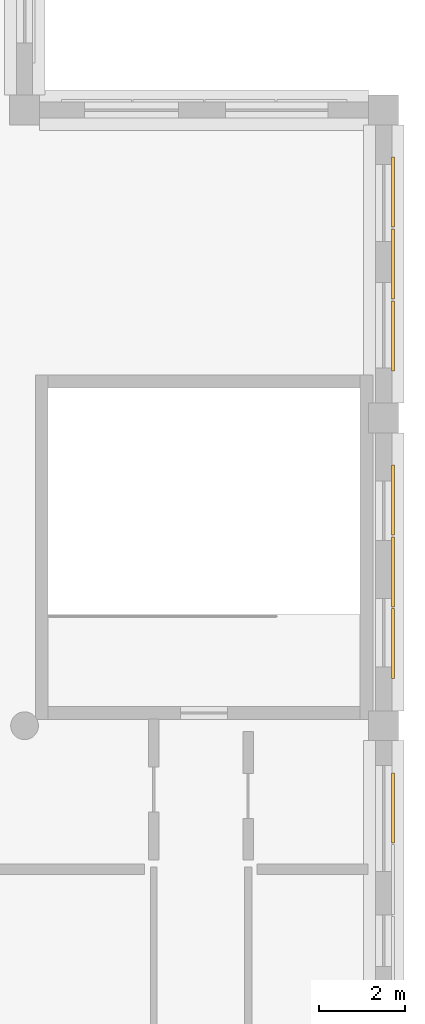
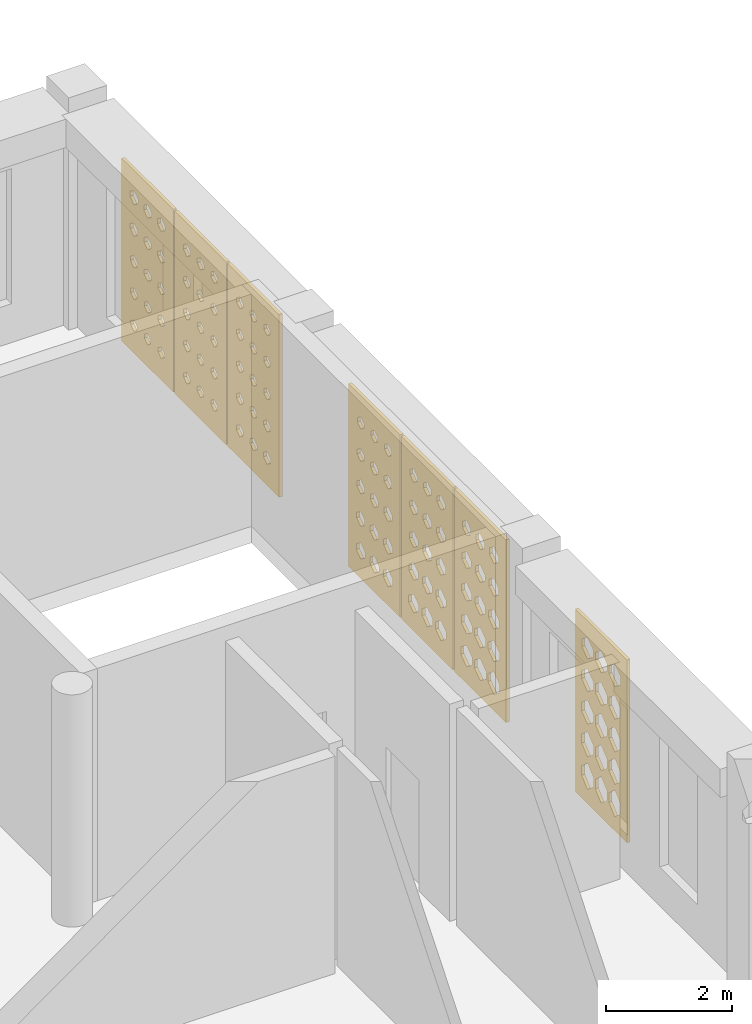
# One storey, part 39 of 47: 7 coverings.
"""IFC4 building model written with IfcOpenShell, lengths in metres."""

import ifcopenshell
import ifcopenshell.guid

model = None  # the IFC model being written
_history = None  # IfcOwnerHistory: only IFC2X3 demands one
_inside = {}  # id of a spatial element -> (the spatial element, [elements in it])
_under = {}  # id of a project, library or spatial element -> (it, [spatial elements below it])
_declared = {}  # id of a project -> (the project, [libraries it declares])
_typed = {}  # id of a type object -> (the type object, [elements of that type])
_made_of = {}  # id of a material, layer set ... -> (it, [elements and type objects made of it])


def new_model(schema):
    """Start an empty IFC model of exactly this schema.

    Asked for "IFC4X3", IfcOpenShell would pick the latest addendum, in which some entities
    have other attributes; the version numbers below select the first issue.
    IFC2X3 requires an IfcOwnerHistory on every rooted entity: one is made here for all.
    """
    global model, _history
    if schema == "IFC4X3":
        model = ifcopenshell.file(schema_version=(4, 3, 0, 0))
    else:
        model = ifcopenshell.file(schema=schema)
    _inside.clear()
    _under.clear()
    _declared.clear()
    _typed.clear()
    _made_of.clear()
    _history = None
    if model.schema == "IFC2X3":
        org = make("IfcOrganization", Name="unknown")
        user = make(
            "IfcPersonAndOrganization",
            ThePerson=make("IfcPerson", FamilyName="unknown"),
            TheOrganization=org,
        )
        app = make(
            "IfcApplication",
            ApplicationDeveloper=org,
            Version="unknown",
            ApplicationFullName="unknown",
            ApplicationIdentifier="unknown",
        )
        _history = make(
            "IfcOwnerHistory",
            OwningUser=user,
            OwningApplication=app,
            ChangeAction="ADDED",
            CreationDate=0,
        )
    return model


def make(cls, **values):
    """One entity of the class cls with the attributes given. An attribute that is None is left unset."""
    return model.create_entity(
        cls, **{name: value for name, value in values.items() if value is not None}
    )


def rooted(cls, **values):
    """An entity with a GlobalId (a new one), such as an element, a storey or a relation."""
    return make(cls, GlobalId=ifcopenshell.guid.new(), OwnerHistory=_history, **values)


def si_unit(unit_type, name, prefix=None):
    """IfcSIUnit, for example si_unit("LENGTHUNIT", "METRE", prefix="MILLI")."""
    return make("IfcSIUnit", UnitType=unit_type, Prefix=prefix, Name=name)


def derived_unit(unit_type, elements):
    """IfcDerivedUnit: a product of units, each with its exponent."""
    return make(
        "IfcDerivedUnit",
        Elements=[
            make("IfcDerivedUnitElement", Unit=unit, Exponent=power)
            for unit, power in elements
        ],
        UnitType=unit_type,
    )


def assignment(units):
    """IfcUnitAssignment: the units of a project."""
    return None if units is None else make("IfcUnitAssignment", Units=units)


def point(xyz):
    """IfcCartesianPoint."""
    return None if xyz is None else make("IfcCartesianPoint", Coordinates=xyz)


def direction(xyz):
    """IfcDirection."""
    return None if xyz is None else make("IfcDirection", DirectionRatios=xyz)


def frame(location, z_axis=None, x_axis=None):
    """IfcAxis2Placement3D, a coordinate frame: its origin and axes. An axis left out is left unset."""
    return make(
        "IfcAxis2Placement3D",
        Location=point(location),
        Axis=direction(z_axis),
        RefDirection=direction(x_axis),
    )


def origin():
    """The frame at (0, 0, 0) with its axes left unset."""
    return frame((0.0, 0.0, 0.0))


def place(relative_to, where):
    """IfcLocalPlacement: puts the frame where relative to a parent placement (None: the world)."""
    return make(
        "IfcLocalPlacement", PlacementRelTo=relative_to, RelativePlacement=where
    )


def context(
    kind, dimensions, precision=None, world=None, true_north=None, identifier=None
):
    """IfcGeometricRepresentationContext, for example the 3D "Model" context."""
    return make(
        "IfcGeometricRepresentationContext",
        ContextIdentifier=identifier,
        ContextType=kind,
        CoordinateSpaceDimension=dimensions,
        Precision=precision,
        WorldCoordinateSystem=world,
        TrueNorth=true_north,
    )


def subcontext(parent, identifier, kind, view, scale=None):
    """IfcGeometricRepresentationSubContext, for example "Body" below "Model"."""
    return make(
        "IfcGeometricRepresentationSubContext",
        ContextIdentifier=identifier,
        ContextType=kind,
        ParentContext=parent,
        TargetScale=scale,
        TargetView=view,
    )


def project(units=None, contexts=None):
    """IfcProject with its units and contexts."""
    return rooted(
        "IfcProject",
        Name="project",
        RepresentationContexts=contexts,
        UnitsInContext=assignment(units),
    )


def spatial(cls, under=None, at=None, **own):
    """A site, building, storey or space (cls), placed at a placement, below another one or the project."""
    s = rooted(cls, ObjectPlacement=at, **own)
    if under is not None:
        _under.setdefault(under.id(), (under, []))[1].append(s)
    return s


def polyline(points):
    """IfcPolyline through the points."""
    return make("IfcPolyline", Points=[point(p) for p in points])


def outline(outer, holes=None, kind="AREA"):
    """IfcArbitraryClosedProfileDef: a profile drawn as a closed curve; with holes, ...WithVoids."""
    if holes is None:
        return make("IfcArbitraryClosedProfileDef", ProfileType=kind, OuterCurve=outer)
    return make(
        "IfcArbitraryProfileDefWithVoids",
        ProfileType=kind,
        OuterCurve=outer,
        InnerCurves=holes,
    )


def extrude(swept, where, along, depth):
    """IfcExtrudedAreaSolid: the profile swept, set in the frame where, extruded along a direction by depth."""
    return make(
        "IfcExtrudedAreaSolid",
        SweptArea=swept,
        Position=where,
        ExtrudedDirection=direction(along),
        Depth=depth,
    )


def shape(context_of_items, identifier, shape_type, items):
    """IfcShapeRepresentation: the items that make up one representation, for example the "Body"."""
    return make(
        "IfcShapeRepresentation",
        ContextOfItems=context_of_items,
        RepresentationIdentifier=identifier,
        RepresentationType=shape_type,
        Items=items,
    )


def material(Name=None, Category=None):
    """IfcMaterial."""
    return make("IfcMaterial", Name=Name, Category=Category)


def layer(
    of_material, thickness, ventilated=None, Name=None, Category=None, Priority=None
):
    """IfcMaterialLayer: one layer of a wall or slab, of a material (None: an air gap)."""
    return make(
        "IfcMaterialLayer",
        Material=of_material,
        LayerThickness=thickness,
        IsVentilated=ventilated,
        Name=Name,
        Category=Category,
        Priority=Priority,
    )


def layer_set(layers, Name=None):
    """IfcMaterialLayerSet."""
    return make("IfcMaterialLayerSet", MaterialLayers=layers, LayerSetName=Name)


def made_of(thing, what):
    """Note that an element or type object is made of a material, layer set ...; save() writes the relation."""
    if what is not None:
        _made_of.setdefault(what.id(), (what, []))[1].append(thing)
    return thing


def type_object(cls, material=None, **own):
    """A type object (cls), such as IfcWallType, which elements share."""
    return made_of(rooted(cls, **own), material)


def element(
    cls,
    number,
    at=None,
    inside=None,
    cuts=None,
    type_object=None,
    material=None,
    context=None,
    identifier="Body",
    shape_type=None,
    held_by="IfcProductDefinitionShape",
    body=None,
    shapes=None,
    **own,
):
    """One element of the class cls, such as IfcWall. Its Tag is "e" and its number.

    at: its placement. inside: the storey or other place that contains it. cuts: it is an
    opening in that element (IfcRelVoidsElement). A single representation is given by context,
    identifier, shape_type and body (its items); several are given by shapes. held_by: the class
    of the entity that holds the representations. save() writes the other relations.
    """
    e = rooted(cls, Tag="e%d" % number, ObjectPlacement=at, **own)
    if body is not None:
        shapes = [shape(context, identifier, shape_type, body)]
    if shapes is not None:
        e.Representation = make(held_by, Representations=shapes)
    if inside is not None:
        _inside.setdefault(inside.id(), (inside, []))[1].append(e)
    if cuts is not None:
        rooted(
            "IfcRelVoidsElement", RelatingBuildingElement=cuts, RelatedOpeningElement=e
        )
    if type_object is not None:
        _typed.setdefault(type_object.id(), (type_object, []))[1].append(e)
    return made_of(e, material)


def aggregate(whole, parts):
    """IfcRelAggregates: a whole, such as a stair, and the parts it consists of."""
    return rooted("IfcRelAggregates", RelatingObject=whole, RelatedObjects=parts)


def save(model, path):
    """Write the relations noted so far, then the file.

    IfcRelAggregates (storeys below a building ...), IfcRelContainedInSpatialStructure (elements
    in a storey), IfcRelDefinesByType, IfcRelAssociatesMaterial and IfcRelDeclares: one each for
    every whole, place, type object, material and project.
    """
    for whole, parts in _under.values():
        aggregate(whole, parts)
    for where, things in _inside.values():
        rooted(
            "IfcRelContainedInSpatialStructure",
            RelatedElements=things,
            RelatingStructure=where,
        )
    for kind, things in _typed.values():
        rooted("IfcRelDefinesByType", RelatedObjects=things, RelatingType=kind)
    for what, things in _made_of.values():
        rooted("IfcRelAssociatesMaterial", RelatedObjects=things, RelatingMaterial=what)
    for by, libraries in _declared.values():
        rooted("IfcRelDeclares", RelatingContext=by, RelatedDefinitions=libraries)
    model.write(path)


model = new_model("IFC4")

# Units and contexts
model_context = context("Model", 3, precision=1e-05, world=origin(), true_north=direction((0.0, 1.0)))
body_context = subcontext(model_context, "Body", "Model", "MODEL_VIEW")
ifc_project = project(units=[si_unit("LENGTHUNIT", "METRE"), si_unit("AREAUNIT", "SQUARE_METRE"), si_unit("VOLUMEUNIT", "CUBIC_METRE"), si_unit("PLANEANGLEUNIT", "RADIAN"), si_unit("MASSUNIT", "GRAM", prefix="KILO"), derived_unit("THERMALTRANSMITTANCEUNIT", [(si_unit("POWERUNIT", "WATT"), 1), (si_unit("LENGTHUNIT", "METRE"), -2), (si_unit("THERMODYNAMICTEMPERATUREUNIT", "KELVIN"), -1)])], contexts=[model_context])

# Site, building, storey
site_placement = place(None, origin())
site = spatial("IfcSite", under=ifc_project, at=site_placement, CompositionType="ELEMENT")
building_placement = place(site_placement, origin())
building = spatial("IfcBuilding", under=site, at=building_placement, Name="Veybourne Emporium", CompositionType="ELEMENT")
storey_placement = place(building_placement, frame((0.0, 0.0, 23.39990234375)))
storey = spatial("IfcBuildingStorey", under=building, at=storey_placement, Name="L05", CompositionType="ELEMENT", Elevation=23.39990234375)

# Coverings
ifc_material = material(Name="Warm-White Perforated Aluminium Screen Alloy", Category="aluminium")
ifc_layer_1 = layer(ifc_material, 0.06005859375)
ifc_layer_set_1 = layer_set([ifc_layer_1], Name="Warm-White Perforated Aluminium Screen Alloy")
covering_type_1 = type_object("IfcCoveringType", Name="WaveScreen_SCR-01", PredefinedType="CLADDING", material=ifc_layer_set_1)
covering_1_placement = place(storey_placement, frame((101.048095703125, 55.679931640625, 1.830078125), z_axis=(-1.0, 0.0, 0.0), x_axis=(0.0, -1.0, 0.0)))
element("IfcCovering", 1, at=covering_1_placement, inside=storey, type_object=covering_type_1, Name="L05 wave-perforated aluminium screen SCR-01 (54.1)", PredefinedType="CLADDING", context=body_context, shape_type="SweptSolid", body=[
    extrude(outline(polyline([(-0.81982421875, -1.77001953125), (0.81982421875, -1.77001953125), (0.81982421875, 1.77001953125), (-0.81982421875, 1.77001953125), (-0.81982421875, -1.77001953125)]), holes=[polyline([(-0.433349609375, -1.0830078125), (-0.294921875, -1.183349609375), (-0.294921875, -1.296630859375), (-0.433349609375, -1.397216796875), (-0.572021484375, -1.296630859375), (-0.572021484375, -1.183349609375), (-0.433349609375, -1.0830078125)]), polyline([(-0.433349609375, -0.47509765625), (-0.304931640625, -0.56787109375), (-0.304931640625, -0.672119140625), (-0.433349609375, -0.764892578125), (-0.561767578125, -0.672119140625), (-0.561767578125, -0.56787109375), (-0.433349609375, -0.47509765625)]), polyline([(-0.433349609375, 0.1337890625), (-0.313720703125, 0.048095703125), (-0.313720703125, -0.048095703125), (-0.433349609375, -0.1337890625), (-0.552978515625, -0.048095703125), (-0.552978515625, 0.048095703125), (-0.433349609375, 0.1337890625)]), polyline([(-0.433349609375, 0.74462890625), (-0.3212890625, 0.664794921875), (-0.3212890625, 0.5751953125), (-0.433349609375, 0.495361328125), (-0.54541015625, 0.5751953125), (-0.54541015625, 0.664794921875), (-0.433349609375, 0.74462890625)]), polyline([(-0.433349609375, 1.357666015625), (-0.3271484375, 1.2822265625), (-0.3271484375, 1.19775390625), (-0.433349609375, 1.122314453125), (-0.53955078125, 1.19775390625), (-0.53955078125, 1.2822265625), (-0.433349609375, 1.357666015625)]), polyline([(0.0, -1.076904296875), (0.143310546875, -1.181396484375), (0.143310546875, -1.298583984375), (0.0, -1.403076171875), (-0.143310546875, -1.298583984375), (-0.143310546875, -1.181396484375), (0.0, -1.076904296875)]), polyline([(0.0, -0.4697265625), (0.1328125, -0.56591796875), (0.1328125, -0.674072265625), (0.0, -0.770263671875), (-0.1328125, -0.674072265625), (-0.1328125, -0.56591796875), (0.0, -0.4697265625)]), polyline([(0.0, 0.138671875), (0.123291015625, 0.0498046875), (0.123291015625, -0.0498046875), (0.0, -0.138671875), (-0.123291015625, -0.0498046875), (-0.123291015625, 0.0498046875), (0.0, 0.138671875)]), polyline([(0.0, 0.74853515625), (0.115234375, 0.666259765625), (0.115234375, 0.57373046875), (0.0, 0.491455078125), (-0.115234375, 0.57373046875), (-0.115234375, 0.666259765625), (0.0, 0.74853515625)]), polyline([(0.0, 1.360595703125), (0.108642578125, 1.283447265625), (0.108642578125, 1.196533203125), (0.0, 1.119384765625), (-0.108642578125, 1.196533203125), (-0.108642578125, 1.283447265625), (0.0, 1.360595703125)]), polyline([(0.433349609375, -1.07080078125), (0.581787109375, -1.17919921875), (0.581787109375, -1.30078125), (0.433349609375, -1.4091796875), (0.284912109375, -1.30078125), (0.284912109375, -1.17919921875), (0.433349609375, -1.07080078125)]), polyline([(0.433349609375, -0.464111328125), (0.57080078125, -0.56396484375), (0.57080078125, -0.676025390625), (0.433349609375, -0.77587890625), (0.2958984375, -0.676025390625), (0.2958984375, -0.56396484375), (0.433349609375, -0.464111328125)]), polyline([(0.433349609375, 0.1435546875), (0.560791015625, 0.0517578125), (0.560791015625, -0.0517578125), (0.433349609375, -0.1435546875), (0.305908203125, -0.0517578125), (0.305908203125, 0.0517578125), (0.433349609375, 0.1435546875)]), polyline([(0.433349609375, 0.7529296875), (0.552001953125, 0.667724609375), (0.552001953125, 0.572265625), (0.433349609375, 0.487060546875), (0.314697265625, 0.572265625), (0.314697265625, 0.667724609375), (0.433349609375, 0.7529296875)]), polyline([(0.433349609375, 1.364013671875), (0.544677734375, 1.28466796875), (0.544677734375, 1.1953125), (0.433349609375, 1.1162109375), (0.322021484375, 1.1953125), (0.322021484375, 1.28466796875), (0.433349609375, 1.364013671875)])]), origin(), (0.0, 0.0, 1.0), 0.06005859375),
])
ifc_layer_2 = layer(ifc_material, 0.06005859375)
ifc_layer_set_2 = layer_set([ifc_layer_2], Name="Warm-White Perforated Aluminium Screen Alloy")
covering_type_2 = type_object("IfcCoveringType", Name="WaveScreen_SCR-02", PredefinedType="CLADDING", material=ifc_layer_set_2)
covering_2_placement = place(storey_placement, frame((101.048095703125, 54.0, 1.830078125), z_axis=(-1.0, 0.0, 0.0), x_axis=(0.0, -1.0, 0.0)))
element("IfcCovering", 2, at=covering_2_placement, inside=storey, type_object=covering_type_2, Name="L05 wave-perforated aluminium screen SCR-02 (54.2)", PredefinedType="CLADDING", context=body_context, shape_type="SweptSolid", body=[
    extrude(outline(polyline([(-0.81982421875, -1.77001953125), (0.81982421875, -1.77001953125), (0.81982421875, 1.77001953125), (-0.81982421875, 1.77001953125), (-0.81982421875, -1.77001953125)]), holes=[polyline([(-0.433349609375, -1.05908203125), (-0.275390625, -1.1748046875), (-0.275390625, -1.30517578125), (-0.433349609375, -1.4208984375), (-0.59130859375, -1.30517578125), (-0.59130859375, -1.1748046875), (-0.433349609375, -1.05908203125)]), polyline([(-0.433349609375, -0.452880859375), (-0.28662109375, -0.559814453125), (-0.28662109375, -0.68017578125), (-0.433349609375, -0.787109375), (-0.580078125, -0.68017578125), (-0.580078125, -0.559814453125), (-0.433349609375, -0.452880859375)]), polyline([(-0.433349609375, 0.15380859375), (-0.297607421875, 0.055419921875), (-0.297607421875, -0.055419921875), (-0.433349609375, -0.15380859375), (-0.569091796875, -0.055419921875), (-0.569091796875, 0.055419921875), (-0.433349609375, 0.15380859375)]), polyline([(-0.433349609375, 0.76171875), (-0.307373046875, 0.671142578125), (-0.307373046875, 0.56884765625), (-0.433349609375, 0.478271484375), (-0.559326171875, 0.56884765625), (-0.559326171875, 0.671142578125), (-0.433349609375, 0.76171875)]), polyline([(-0.433349609375, 1.371337890625), (-0.31591796875, 1.287353515625), (-0.31591796875, 1.192626953125), (-0.433349609375, 1.108642578125), (-0.55078125, 1.192626953125), (-0.55078125, 1.287353515625), (-0.433349609375, 1.371337890625)]), polyline([(0.0, -1.052734375), (0.163330078125, -1.172607421875), (0.163330078125, -1.307373046875), (0.0, -1.42724609375), (-0.163330078125, -1.307373046875), (-0.163330078125, -1.172607421875), (0.0, -1.052734375)]), polyline([(0.0, -0.44677734375), (0.151611328125, -0.5576171875), (0.151611328125, -0.682373046875), (0.0, -0.793212890625), (-0.151611328125, -0.682373046875), (-0.151611328125, -0.5576171875), (0.0, -0.44677734375)]), polyline([(0.0, 0.15966796875), (0.140625, 0.0576171875), (0.140625, -0.0576171875), (0.0, -0.15966796875), (-0.140625, -0.0576171875), (-0.140625, 0.0576171875), (0.0, 0.15966796875)]), polyline([(0.0, 0.76708984375), (0.13037109375, 0.6728515625), (0.13037109375, 0.567138671875), (0.0, 0.472900390625), (-0.13037109375, 0.567138671875), (-0.13037109375, 0.6728515625), (0.0, 0.76708984375)]), polyline([(0.0, 1.375732421875), (0.12109375, 1.288818359375), (0.12109375, 1.191162109375), (0.0, 1.104248046875), (-0.12109375, 1.191162109375), (-0.12109375, 1.288818359375), (0.0, 1.375732421875)]), polyline([(0.433349609375, -1.04638671875), (0.601806640625, -1.17041015625), (0.601806640625, -1.309814453125), (0.433349609375, -1.43359375), (0.264892578125, -1.309814453125), (0.264892578125, -1.17041015625), (0.433349609375, -1.04638671875)]), polyline([(0.433349609375, -0.4404296875), (0.590087890625, -0.555419921875), (0.590087890625, -0.6845703125), (0.433349609375, -0.799560546875), (0.276611328125, -0.6845703125), (0.276611328125, -0.555419921875), (0.433349609375, -0.4404296875)]), polyline([(0.433349609375, 0.16552734375), (0.578857421875, 0.0595703125), (0.578857421875, -0.0595703125), (0.433349609375, -0.16552734375), (0.287841796875, -0.0595703125), (0.287841796875, 0.0595703125), (0.433349609375, 0.16552734375)]), polyline([(0.433349609375, 0.7724609375), (0.568115234375, 0.6748046875), (0.568115234375, 0.565185546875), (0.433349609375, 0.467529296875), (0.298583984375, 0.565185546875), (0.298583984375, 0.6748046875), (0.433349609375, 0.7724609375)]), polyline([(0.433349609375, 1.380615234375), (0.558349609375, 1.29052734375), (0.558349609375, 1.189453125), (0.433349609375, 1.099365234375), (0.30810546875, 1.189453125), (0.30810546875, 1.29052734375), (0.433349609375, 1.380615234375)])]), origin(), (0.0, 0.0, 1.0), 0.06005859375),
])
covering_3_placement = place(storey_placement, frame((101.048095703125, 62.8798828125, 1.830078125), z_axis=(-1.0, 0.0, 0.0), x_axis=(0.0, -1.0, 0.0)))
element("IfcCovering", 3, at=covering_3_placement, inside=storey, type_object=covering_type_2, Name="L05 wave-perforated aluminium screen SCR-02 (55.1)", PredefinedType="CLADDING", context=body_context, shape_type="SweptSolid", body=[
    extrude(outline(polyline([(-0.81982421875, -1.77001953125), (0.81982421875, -1.77001953125), (0.81982421875, 1.77001953125), (-0.81982421875, 1.77001953125), (-0.81982421875, -1.77001953125)]), holes=[polyline([(-0.433349609375, -1.12890625), (-0.33251953125, -1.199951171875), (-0.33251953125, -1.280029296875), (-0.433349609375, -1.351318359375), (-0.5341796875, -1.280029296875), (-0.5341796875, -1.199951171875), (-0.433349609375, -1.12890625)]), polyline([(-0.433349609375, -0.505126953125), (-0.329345703125, -0.57861328125), (-0.329345703125, -0.661376953125), (-0.433349609375, -0.73486328125), (-0.537109375, -0.661376953125), (-0.537109375, -0.57861328125), (-0.433349609375, -0.505126953125)]), polyline([(-0.433349609375, 0.12060546875), (-0.32470703125, 0.04345703125), (-0.32470703125, -0.04345703125), (-0.433349609375, -0.12060546875), (-0.5419921875, -0.04345703125), (-0.5419921875, 0.04345703125), (-0.433349609375, 0.12060546875)]), polyline([(-0.433349609375, 0.748779296875), (-0.31787109375, 0.66650390625), (-0.31787109375, 0.573486328125), (-0.433349609375, 0.4912109375), (-0.548583984375, 0.573486328125), (-0.548583984375, 0.66650390625), (-0.433349609375, 0.748779296875)]), polyline([(-0.433349609375, 1.37890625), (-0.309814453125, 1.2900390625), (-0.309814453125, 1.18994140625), (-0.433349609375, 1.10107421875), (-0.556884765625, 1.18994140625), (-0.556884765625, 1.2900390625), (-0.433349609375, 1.37890625)]), polyline([(0.0, -1.129638671875), (0.100341796875, -1.2001953125), (0.100341796875, -1.27978515625), (0.0, -1.350341796875), (-0.100341796875, -1.27978515625), (-0.100341796875, -1.2001953125), (0.0, -1.129638671875)]), polyline([(0.0, -0.507080078125), (0.102294921875, -0.579345703125), (0.102294921875, -0.66064453125), (0.0, -0.73291015625), (-0.102294921875, -0.66064453125), (-0.102294921875, -0.579345703125), (0.0, -0.507080078125)]), polyline([(0.0, 0.117919921875), (0.1064453125, 0.04248046875), (0.1064453125, -0.04248046875), (0.0, -0.117919921875), (-0.1064453125, -0.04248046875), (-0.1064453125, 0.04248046875), (0.0, 0.117919921875)]), polyline([(0.0, 0.744873046875), (0.1123046875, 0.6650390625), (0.1123046875, 0.574951171875), (0.0, 0.4951171875), (-0.1123046875, 0.574951171875), (-0.1123046875, 0.6650390625), (0.0, 0.744873046875)]), polyline([(0.0, 1.3740234375), (0.11962890625, 1.288330078125), (0.11962890625, 1.191650390625), (0.0, 1.10595703125), (-0.11962890625, 1.191650390625), (-0.11962890625, 1.288330078125), (0.0, 1.3740234375)]), polyline([(0.433349609375, -1.1298828125), (0.533203125, -1.200439453125), (0.533203125, -1.279541015625), (0.433349609375, -1.35009765625), (0.333251953125, -1.279541015625), (0.333251953125, -1.200439453125), (0.433349609375, -1.1298828125)]), polyline([(0.433349609375, -0.508544921875), (0.534423828125, -0.579833984375), (0.534423828125, -0.66015625), (0.433349609375, -0.7314453125), (0.332275390625, -0.66015625), (0.332275390625, -0.579833984375), (0.433349609375, -0.508544921875)]), polyline([(0.433349609375, 0.115234375), (0.53759765625, 0.04150390625), (0.53759765625, -0.04150390625), (0.433349609375, -0.115234375), (0.3291015625, -0.04150390625), (0.3291015625, 0.04150390625), (0.433349609375, 0.115234375)]), polyline([(0.433349609375, 0.741455078125), (0.542724609375, 0.663818359375), (0.542724609375, 0.576416015625), (0.433349609375, 0.49853515625), (0.323974609375, 0.576416015625), (0.323974609375, 0.663818359375), (0.433349609375, 0.741455078125)]), polyline([(0.433349609375, 1.369873046875), (0.549560546875, 1.28662109375), (0.549560546875, 1.193359375), (0.433349609375, 1.110107421875), (0.317138671875, 1.193359375), (0.317138671875, 1.28662109375), (0.433349609375, 1.369873046875)])]), origin(), (0.0, 0.0, 1.0), 0.06005859375),
])
ifc_layer_3 = layer(ifc_material, 0.06005859375)
ifc_layer_set_3 = layer_set([ifc_layer_3], Name="Warm-White Perforated Aluminium Screen Alloy")
covering_type_3 = type_object("IfcCoveringType", Name="WaveScreen_SCR-03", PredefinedType="CLADDING", material=ifc_layer_set_3)
covering_4_placement = place(storey_placement, frame((101.048095703125, 52.320068359375, 1.830078125), z_axis=(-1.0, 0.0, 0.0), x_axis=(0.0, -1.0, 0.0)))
element("IfcCovering", 4, at=covering_4_placement, inside=storey, type_object=covering_type_3, Name="L05 wave-perforated aluminium screen SCR-03 (54.3)", PredefinedType="CLADDING", context=body_context, shape_type="SweptSolid", body=[
    extrude(outline(polyline([(-0.81982421875, -1.77001953125), (0.81982421875, -1.77001953125), (0.81982421875, 1.77001953125), (-0.81982421875, 1.77001953125), (-0.81982421875, -1.77001953125)]), holes=[polyline([(-0.433349609375, -1.0341796875), (-0.2548828125, -1.166015625), (-0.2548828125, -1.314208984375), (-0.433349609375, -1.44580078125), (-0.61181640625, -1.314208984375), (-0.61181640625, -1.166015625), (-0.433349609375, -1.0341796875)]), polyline([(-0.433349609375, -0.428466796875), (-0.2666015625, -0.551025390625), (-0.2666015625, -0.68896484375), (-0.433349609375, -0.8115234375), (-0.60009765625, -0.68896484375), (-0.60009765625, -0.551025390625), (-0.433349609375, -0.428466796875)]), polyline([(-0.433349609375, 0.17724609375), (-0.2783203125, 0.063720703125), (-0.2783203125, -0.063720703125), (-0.433349609375, -0.17724609375), (-0.58837890625, -0.063720703125), (-0.58837890625, 0.063720703125), (-0.433349609375, 0.17724609375)]), polyline([(-0.433349609375, 0.783447265625), (-0.28955078125, 0.678955078125), (-0.28955078125, 0.56103515625), (-0.433349609375, 0.45654296875), (-0.5771484375, 0.56103515625), (-0.5771484375, 0.678955078125), (-0.433349609375, 0.783447265625)]), polyline([(-0.433349609375, 1.390625), (-0.300048828125, 1.294189453125), (-0.300048828125, 1.185791015625), (-0.433349609375, 1.08935546875), (-0.56640625, 1.185791015625), (-0.56640625, 1.294189453125), (-0.433349609375, 1.390625)]), polyline([(0.0, -1.02783203125), (0.18359375, -1.163818359375), (0.18359375, -1.31640625), (0.0, -1.4521484375), (-0.18359375, -1.31640625), (-0.18359375, -1.163818359375), (0.0, -1.02783203125)]), polyline([(0.0, -0.422119140625), (0.171875, -0.548583984375), (0.171875, -0.69140625), (0.0, -0.81787109375), (-0.171875, -0.69140625), (-0.171875, -0.548583984375), (0.0, -0.422119140625)]), polyline([(0.0, 0.18359375), (0.16015625, 0.066162109375), (0.16015625, -0.066162109375), (0.0, -0.18359375), (-0.16015625, -0.066162109375), (-0.16015625, 0.066162109375), (0.0, 0.18359375)]), polyline([(0.0, 0.78955078125), (0.148681640625, 0.68115234375), (0.148681640625, 0.558837890625), (0.0, 0.450439453125), (-0.148681640625, 0.558837890625), (-0.148681640625, 0.68115234375), (0.0, 0.78955078125)]), polyline([(0.0, 1.396240234375), (0.1376953125, 1.29638671875), (0.1376953125, 1.18359375), (0.0, 1.083740234375), (-0.1376953125, 1.18359375), (-0.1376953125, 1.29638671875), (0.0, 1.396240234375)]), polyline([(0.433349609375, -1.021728515625), (0.61962890625, -1.161376953125), (0.61962890625, -1.318603515625), (0.433349609375, -1.458251953125), (0.2470703125, -1.318603515625), (0.2470703125, -1.161376953125), (0.433349609375, -1.021728515625)]), polyline([(0.433349609375, -0.415771484375), (0.610595703125, -0.54638671875), (0.610595703125, -0.693603515625), (0.433349609375, -0.82421875), (0.256103515625, -0.693603515625), (0.256103515625, -0.54638671875), (0.433349609375, -0.415771484375)]), polyline([(0.433349609375, 0.18994140625), (0.598876953125, 0.068359375), (0.598876953125, -0.068359375), (0.433349609375, -0.18994140625), (0.267822265625, -0.068359375), (0.267822265625, 0.068359375), (0.433349609375, 0.18994140625)]), polyline([(0.433349609375, 0.7958984375), (0.587158203125, 0.683349609375), (0.587158203125, 0.556640625), (0.433349609375, 0.444091796875), (0.279541015625, 0.556640625), (0.279541015625, 0.683349609375), (0.433349609375, 0.7958984375)]), polyline([(0.433349609375, 1.402099609375), (0.575927734375, 1.29833984375), (0.575927734375, 1.181640625), (0.433349609375, 1.077880859375), (0.290771484375, 1.181640625), (0.290771484375, 1.29833984375), (0.433349609375, 1.402099609375)])]), origin(), (0.0, 0.0, 1.0), 0.06005859375),
])
covering_5_placement = place(storey_placement, frame((101.048095703125, 61.199951171875, 1.830078125), z_axis=(-1.0, 0.0, 0.0), x_axis=(0.0, -1.0, 0.0)))
element("IfcCovering", 5, at=covering_5_placement, inside=storey, type_object=covering_type_3, Name="L05 wave-perforated aluminium screen SCR-03 (55.2)", PredefinedType="CLADDING", context=body_context, shape_type="SweptSolid", body=[
    extrude(outline(polyline([(-0.81982421875, -1.77001953125), (0.81982421875, -1.77001953125), (0.81982421875, 1.77001953125), (-0.81982421875, 1.77001953125), (-0.81982421875, -1.77001953125)]), holes=[polyline([(-0.433349609375, -1.12939453125), (-0.332763671875, -1.2001953125), (-0.332763671875, -1.27978515625), (-0.433349609375, -1.3505859375), (-0.533935546875, -1.27978515625), (-0.533935546875, -1.2001953125), (-0.433349609375, -1.12939453125)]), polyline([(-0.433349609375, -0.510009765625), (-0.333251953125, -0.580322265625), (-0.333251953125, -0.65966796875), (-0.433349609375, -0.72998046875), (-0.533447265625, -0.65966796875), (-0.533447265625, -0.580322265625), (-0.433349609375, -0.510009765625)]), polyline([(-0.433349609375, 0.11181640625), (-0.331787109375, 0.040283203125), (-0.331787109375, -0.040283203125), (-0.433349609375, -0.11181640625), (-0.534912109375, -0.040283203125), (-0.534912109375, 0.040283203125), (-0.433349609375, 0.11181640625)]), polyline([(-0.433349609375, 0.736083984375), (-0.328369140625, 0.661865234375), (-0.328369140625, 0.578125), (-0.433349609375, 0.50390625), (-0.538330078125, 0.578125), (-0.538330078125, 0.661865234375), (-0.433349609375, 0.736083984375)]), polyline([(-0.433349609375, 1.362548828125), (-0.322998046875, 1.2841796875), (-0.322998046875, 1.19580078125), (-0.433349609375, 1.117431640625), (-0.543701171875, 1.19580078125), (-0.543701171875, 1.2841796875), (-0.433349609375, 1.362548828125)]), polyline([(0.0, -1.128173828125), (0.1015625, -1.19970703125), (0.1015625, -1.2802734375), (0.0, -1.351806640625), (-0.1015625, -1.2802734375), (-0.1015625, -1.19970703125), (0.0, -1.128173828125)]), polyline([(0.0, -0.510009765625), (0.10009765625, -0.580322265625), (0.10009765625, -0.65966796875), (0.0, -0.72998046875), (-0.10009765625, -0.65966796875), (-0.10009765625, -0.580322265625), (0.0, -0.510009765625)]), polyline([(0.0, 0.11083984375), (0.1005859375, 0.039794921875), (0.1005859375, -0.039794921875), (0.0, -0.11083984375), (-0.1005859375, -0.039794921875), (-0.1005859375, 0.039794921875), (0.0, 0.11083984375)]), polyline([(0.0, 0.73388671875), (0.103271484375, 0.660888671875), (0.103271484375, 0.5791015625), (0.0, 0.506103515625), (-0.103271484375, 0.5791015625), (-0.103271484375, 0.660888671875), (0.0, 0.73388671875)]), polyline([(0.0, 1.359375), (0.107666015625, 1.282958984375), (0.107666015625, 1.197021484375), (0.0, 1.12060546875), (-0.107666015625, 1.197021484375), (-0.107666015625, 1.282958984375), (0.0, 1.359375)]), polyline([(0.433349609375, -1.126708984375), (0.5361328125, -1.19921875), (0.5361328125, -1.28076171875), (0.433349609375, -1.353515625), (0.33056640625, -1.28076171875), (0.33056640625, -1.19921875), (0.433349609375, -1.126708984375)]), polyline([(0.433349609375, -0.509521484375), (0.53369140625, -0.580078125), (0.53369140625, -0.659912109375), (0.433349609375, -0.730712890625), (0.3330078125, -0.659912109375), (0.3330078125, -0.580078125), (0.433349609375, -0.509521484375)]), polyline([(0.433349609375, 0.110107421875), (0.533447265625, 0.03955078125), (0.533447265625, -0.03955078125), (0.433349609375, -0.110107421875), (0.333251953125, -0.03955078125), (0.333251953125, 0.03955078125), (0.433349609375, 0.110107421875)]), polyline([(0.433349609375, 0.732177734375), (0.53515625, 0.660400390625), (0.53515625, 0.57958984375), (0.433349609375, 0.5078125), (0.33154296875, 0.57958984375), (0.33154296875, 0.660400390625), (0.433349609375, 0.732177734375)]), polyline([(0.433349609375, 1.356689453125), (0.538818359375, 1.281982421875), (0.538818359375, 1.197998046875), (0.433349609375, 1.123291015625), (0.327880859375, 1.197998046875), (0.327880859375, 1.281982421875), (0.433349609375, 1.356689453125)])]), origin(), (0.0, 0.0, 1.0), 0.06005859375),
])
ifc_layer_4 = layer(ifc_material, 0.06005859375)
ifc_layer_set_4 = layer_set([ifc_layer_4], Name="Warm-White Perforated Aluminium Screen Alloy")
covering_type_4 = type_object("IfcCoveringType", Name="WaveScreen_SCR-04", PredefinedType="CLADDING", material=ifc_layer_set_4)
covering_6_placement = place(storey_placement, frame((101.048095703125, 48.47998046875, 1.830078125), z_axis=(-1.0, 0.0, 0.0), x_axis=(0.0, -1.0, 0.0)))
element("IfcCovering", 6, at=covering_6_placement, inside=storey, type_object=covering_type_4, Name="L05 wave-perforated aluminium screen SCR-04 (53.1)", PredefinedType="CLADDING", context=body_context, shape_type="SweptSolid", body=[
    extrude(outline(polyline([(-0.81982421875, -1.77001953125), (0.81982421875, -1.77001953125), (0.81982421875, 1.77001953125), (-0.81982421875, 1.77001953125), (-0.81982421875, -1.77001953125)]), holes=[polyline([(-0.433349609375, -0.9853515625), (-0.2470703125, -1.148193359375), (-0.2470703125, -1.331787109375), (-0.433349609375, -1.49462890625), (-0.61962890625, -1.331787109375), (-0.61962890625, -1.148193359375), (-0.433349609375, -0.9853515625)]), polyline([(-0.433349609375, -0.375732421875), (-0.2470703125, -0.531982421875), (-0.2470703125, -0.7080078125), (-0.433349609375, -0.8642578125), (-0.61962890625, -0.7080078125), (-0.61962890625, -0.531982421875), (-0.433349609375, -0.375732421875)]), polyline([(-0.433349609375, 0.232421875), (-0.2470703125, 0.083740234375), (-0.2470703125, -0.083740234375), (-0.433349609375, -0.232421875), (-0.61962890625, -0.083740234375), (-0.61962890625, 0.083740234375), (-0.433349609375, 0.232421875)]), polyline([(-0.433349609375, 0.83935546875), (-0.2470703125, 0.698974609375), (-0.2470703125, 0.541015625), (-0.433349609375, 0.400634765625), (-0.61962890625, 0.541015625), (-0.61962890625, 0.698974609375), (-0.433349609375, 0.83935546875)]), polyline([(-0.433349609375, 1.445556640625), (-0.255126953125, 1.31396484375), (-0.255126953125, 1.166015625), (-0.433349609375, 1.034423828125), (-0.611572265625, 1.166015625), (-0.611572265625, 1.31396484375), (-0.433349609375, 1.445556640625)]), polyline([(0.0, -0.981201171875), (0.186279296875, -1.14697265625), (0.186279296875, -1.3330078125), (0.0, -1.498779296875), (-0.186279296875, -1.3330078125), (-0.186279296875, -1.14697265625), (0.0, -0.981201171875)]), polyline([(0.0, -0.370849609375), (0.186279296875, -0.5302734375), (0.186279296875, -0.709716796875), (0.0, -0.869140625), (-0.186279296875, -0.709716796875), (-0.186279296875, -0.5302734375), (0.0, -0.370849609375)]), polyline([(0.0, 0.238037109375), (0.186279296875, 0.085693359375), (0.186279296875, -0.085693359375), (0.0, -0.238037109375), (-0.186279296875, -0.085693359375), (-0.186279296875, 0.085693359375), (0.0, 0.238037109375)]), polyline([(0.0, 0.845458984375), (0.186279296875, 0.701171875), (0.186279296875, 0.538818359375), (0.0, 0.39453125), (-0.186279296875, 0.538818359375), (-0.186279296875, 0.701171875), (0.0, 0.845458984375)]), polyline([(0.0, 1.451904296875), (0.183349609375, 1.31640625), (0.183349609375, 1.163818359375), (0.0, 1.0283203125), (-0.183349609375, 1.163818359375), (-0.183349609375, 1.31640625), (0.0, 1.451904296875)]), polyline([(0.433349609375, -0.977783203125), (0.61962890625, -1.1455078125), (0.61962890625, -1.33447265625), (0.433349609375, -1.502197265625), (0.2470703125, -1.33447265625), (0.2470703125, -1.1455078125), (0.433349609375, -0.977783203125)]), polyline([(0.433349609375, -0.3662109375), (0.61962890625, -0.52880859375), (0.61962890625, -0.711181640625), (0.433349609375, -0.873779296875), (0.2470703125, -0.711181640625), (0.2470703125, -0.52880859375), (0.433349609375, -0.3662109375)]), polyline([(0.433349609375, 0.2431640625), (0.61962890625, 0.08740234375), (0.61962890625, -0.08740234375), (0.433349609375, -0.2431640625), (0.2470703125, -0.08740234375), (0.2470703125, 0.08740234375), (0.433349609375, 0.2431640625)]), polyline([(0.433349609375, 0.851318359375), (0.61962890625, 0.703125), (0.61962890625, 0.536865234375), (0.433349609375, 0.388916015625), (0.2470703125, 0.536865234375), (0.2470703125, 0.703125), (0.433349609375, 0.851318359375)]), polyline([(0.433349609375, 1.4580078125), (0.61962890625, 1.318603515625), (0.61962890625, 1.16162109375), (0.433349609375, 1.02197265625), (0.2470703125, 1.16162109375), (0.2470703125, 1.318603515625), (0.433349609375, 1.4580078125)])]), origin(), (0.0, 0.0, 1.0), 0.06005859375),
])
covering_7_placement = place(storey_placement, frame((101.048095703125, 59.52001953125, 1.830078125), z_axis=(-1.0, 0.0, 0.0), x_axis=(0.0, -1.0, 0.0)))
element("IfcCovering", 7, at=covering_7_placement, inside=storey, type_object=covering_type_4, Name="L05 wave-perforated aluminium screen SCR-04 (55.3)", PredefinedType="CLADDING", context=body_context, shape_type="SweptSolid", body=[
    extrude(outline(polyline([(-0.81982421875, -1.77001953125), (0.81982421875, -1.77001953125), (0.81982421875, 1.77001953125), (-0.81982421875, 1.77001953125), (-0.81982421875, -1.77001953125)]), holes=[polyline([(-0.433349609375, -1.122314453125), (-0.326904296875, -1.197509765625), (-0.326904296875, -1.282470703125), (-0.433349609375, -1.357666015625), (-0.539794921875, -1.282470703125), (-0.539794921875, -1.197509765625), (-0.433349609375, -1.122314453125)]), polyline([(-0.433349609375, -0.507080078125), (-0.3310546875, -0.579345703125), (-0.3310546875, -0.66064453125), (-0.433349609375, -0.73291015625), (-0.53564453125, -0.66064453125), (-0.53564453125, -0.579345703125), (-0.433349609375, -0.507080078125)]), polyline([(-0.433349609375, 0.1103515625), (-0.3330078125, 0.039794921875), (-0.3330078125, -0.039794921875), (-0.433349609375, -0.1103515625), (-0.53369140625, -0.039794921875), (-0.53369140625, 0.039794921875), (-0.433349609375, 0.1103515625)]), polyline([(-0.433349609375, 0.730224609375), (-0.3330078125, 0.65966796875), (-0.3330078125, 0.580322265625), (-0.433349609375, 0.509765625), (-0.53369140625, 0.580322265625), (-0.53369140625, 0.65966796875), (-0.433349609375, 0.730224609375)]), polyline([(-0.433349609375, 1.352783203125), (-0.3310546875, 1.280517578125), (-0.3310546875, 1.199462890625), (-0.433349609375, 1.127197265625), (-0.53564453125, 1.199462890625), (-0.53564453125, 1.280517578125), (-0.433349609375, 1.352783203125)]), polyline([(0.0, -1.119384765625), (0.108642578125, -1.196533203125), (0.108642578125, -1.283447265625), (0.0, -1.360595703125), (-0.108642578125, -1.283447265625), (-0.108642578125, -1.196533203125), (0.0, -1.119384765625)]), polyline([(0.0, -0.50537109375), (0.10400390625, -0.57861328125), (0.10400390625, -0.661376953125), (0.0, -0.734619140625), (-0.10400390625, -0.661376953125), (-0.10400390625, -0.57861328125), (0.0, -0.50537109375)]), polyline([(0.0, 0.111083984375), (0.100830078125, 0.0400390625), (0.100830078125, -0.0400390625), (0.0, -0.111083984375), (-0.100830078125, -0.0400390625), (-0.100830078125, 0.0400390625), (0.0, 0.111083984375)]), polyline([(0.0, 0.72998046875), (0.10009765625, 0.65966796875), (0.10009765625, 0.580322265625), (0.0, 0.510009765625), (-0.10009765625, 0.580322265625), (-0.10009765625, 0.65966796875), (0.0, 0.72998046875)]), polyline([(0.0, 1.351318359375), (0.10107421875, 1.280029296875), (0.10107421875, 1.199951171875), (0.0, 1.128662109375), (-0.10107421875, 1.199951171875), (-0.10107421875, 1.280029296875), (0.0, 1.351318359375)]), polyline([(0.433349609375, -1.115966796875), (0.544921875, -1.1953125), (0.544921875, -1.28466796875), (0.433349609375, -1.364013671875), (0.32177734375, -1.28466796875), (0.32177734375, -1.1953125), (0.433349609375, -1.115966796875)]), polyline([(0.433349609375, -0.5029296875), (0.539306640625, -0.577880859375), (0.539306640625, -0.662109375), (0.433349609375, -0.737060546875), (0.327392578125, -0.662109375), (0.327392578125, -0.577880859375), (0.433349609375, -0.5029296875)]), polyline([(0.433349609375, 0.112548828125), (0.535400390625, 0.04052734375), (0.535400390625, -0.04052734375), (0.433349609375, -0.112548828125), (0.331298828125, -0.04052734375), (0.331298828125, 0.04052734375), (0.433349609375, 0.112548828125)]), polyline([(0.433349609375, 0.730224609375), (0.533447265625, 0.65966796875), (0.533447265625, 0.580322265625), (0.433349609375, 0.509765625), (0.333251953125, 0.580322265625), (0.333251953125, 0.65966796875), (0.433349609375, 0.730224609375)]), polyline([(0.433349609375, 1.350341796875), (0.53369140625, 1.27978515625), (0.53369140625, 1.2001953125), (0.433349609375, 1.129638671875), (0.3330078125, 1.2001953125), (0.3330078125, 1.27978515625), (0.433349609375, 1.350341796875)])]), origin(), (0.0, 0.0, 1.0), 0.06005859375),
])

save(model, "model.ifc")
